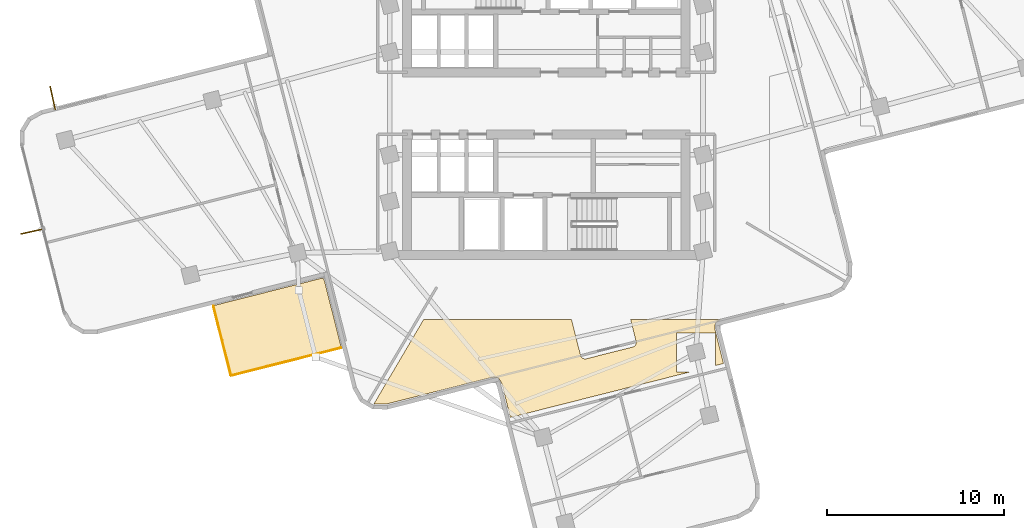
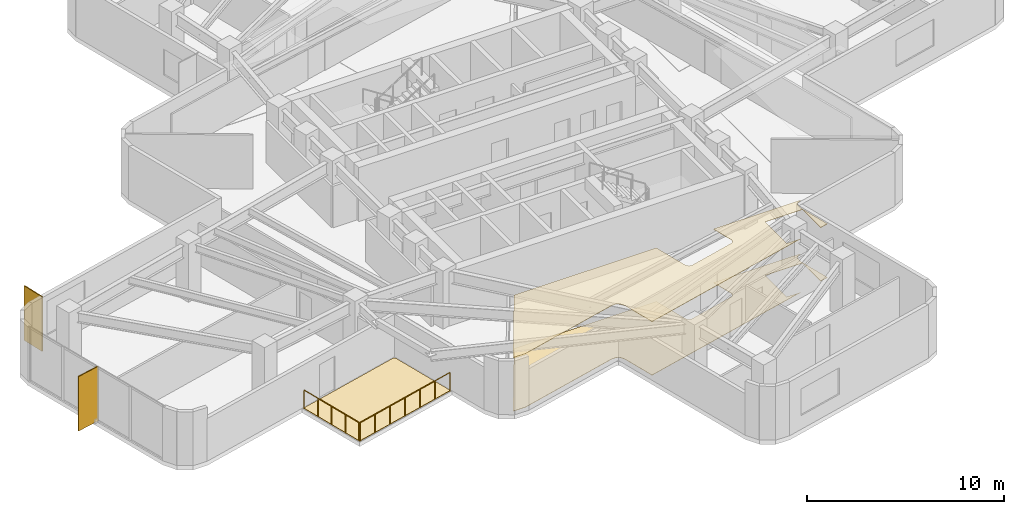
# One storey, part 9 of 11: 3 coverings, 2 railings, 2 shading devices.
"""IFC4 building model written with IfcOpenShell, lengths in metres."""

from ifc_helpers import new_model, si_unit, direction, frame, origin, origin_2d, place, context, subcontext, project, spatial, polyline, rectangle, circle, outline, extrude, material, layer, layer_set, type_object, element, save


model = new_model("IFC4")

# Units and contexts
model_context = context("Model", 3, precision=1e-05, world=origin(), true_north=direction((0.0, 1.0)))
body_context = subcontext(model_context, "Body", "Model", "MODEL_VIEW")
ifc_project = project(units=[si_unit("LENGTHUNIT", "METRE"), si_unit("AREAUNIT", "SQUARE_METRE"), si_unit("VOLUMEUNIT", "CUBIC_METRE"), si_unit("PLANEANGLEUNIT", "RADIAN"), si_unit("MASSUNIT", "GRAM", prefix="KILO")], contexts=[model_context])

# Site, building, storey
site_placement = place(None, origin())
site = spatial("IfcSite", under=ifc_project, at=site_placement, CompositionType="ELEMENT")
building_placement = place(site_placement, origin())
building = spatial("IfcBuilding", under=site, at=building_placement, Name="Solmarez Civic Tower", CompositionType="ELEMENT")
storey_placement = place(building_placement, frame((0.0, 0.0, 127.080078125)))
storey = spatial("IfcBuildingStorey", under=building, at=storey_placement, Name="L33", CompositionType="ELEMENT", Elevation=127.080078125)

# Coverings
ifc_material_1 = material(Name="Perforated Mineral-Fibre Acoustic Ceiling")
ifc_layer_1 = layer(ifc_material_1, 0.02490234375)
ifc_layer_set_1 = layer_set([ifc_layer_1], Name="Perforated Mineral-Fibre Acoustic Ceiling")
covering_type_1 = type_object("IfcCoveringType", Name="COV-CEIL-ACOUSTIC", PredefinedType="CEILING", material=ifc_layer_set_1)
covering_1_placement = place(storey_placement, frame((0.0, 0.0, 3.31494140625)))
element("IfcCovering", 1, at=covering_1_placement, inside=storey, type_object=covering_type_1, Name="L33 Suspended Acoustic Ceiling 2", PredefinedType="CEILING", context=body_context, shape_type="SweptSolid", body=[
    extrude(outline(polyline([(-2.720947265625, -15.530029296875), (-2.7041015625, -15.5400390625), (-2.68896484375, -15.552001953125), (-2.674072265625, -15.56494140625), (-2.6689453125, -15.570068359375), (-2.656005859375, -15.5849609375), (-2.65087890625, -15.591064453125), (-2.64599609375, -15.596923828125), (-2.632080078125, -15.615966796875), (-2.6279296875, -15.6220703125), (-2.618896484375, -15.636962890625), (-2.534912109375, -15.7880859375), (-2.530029296875, -15.797119140625), (-2.527099609375, -15.802978515625), (-2.52392578125, -15.80908203125), (-2.51611328125, -15.826904296875), (-2.509033203125, -15.846923828125), (-2.507080078125, -15.85400390625), (-2.506103515625, -15.860107421875), (-2.031005859375, -17.739990234375), (8.15087890625, -15.1640625), (7.344970703125, -15.1640625), (7.344970703125, -12.964111328125), (9.544921875, -12.964111328125), (9.544921875, -14.81103515625), (10.010009765625, -14.694091796875), (9.533935546875, -12.81201171875), (9.530029296875, -12.79296875), (9.527099609375, -12.77197265625), (9.527099609375, -12.762939453125), (9.52490234375, -12.7529296875), (9.52490234375, -12.735107421875), (9.528076171875, -12.56494140625), (9.528076171875, -12.55908203125), (9.530029296875, -12.531982421875), (9.531005859375, -12.52392578125), (9.532958984375, -12.507080078125), (9.537109375, -12.490966796875), (9.5390625, -12.48388671875), (9.549072265625, -12.45703125), (9.552001953125, -12.449951171875), (9.554931640625, -12.443115234375), (9.56396484375, -12.425048828125), (9.573974609375, -12.407958984375), (9.577880859375, -12.402099609375), (9.58203125, -12.39599609375), (9.5869140625, -12.388916015625), (9.597900390625, -12.375), (9.610107421875, -12.361083984375), (9.614990234375, -12.35595703125), (9.6201171875, -12.35107421875), (9.635009765625, -12.337890625), (9.64111328125, -12.3330078125), (9.656982421875, -12.321044921875), (9.673095703125, -12.31103515625), (9.681884765625, -12.305908203125), (9.83203125, -12.221923828125), (9.841064453125, -12.217041015625), (9.846923828125, -12.214111328125), (9.85791015625, -12.208984375), (9.864990234375, -12.2060546875), (9.881103515625, -12.199951171875), (4.758056640625, -12.199951171875), (5.070068359375, -13.43701171875), (5.072021484375, -13.443115234375), (5.073974609375, -13.451904296875), (5.077880859375, -13.47607421875), (5.0791015625, -13.5), (5.0791015625, -13.5048828125), (5.077880859375, -13.527099609375), (5.076904296875, -13.531982421875), (5.076904296875, -13.5380859375), (5.072998046875, -13.56103515625), (5.06689453125, -13.5830078125), (5.05908203125, -13.60400390625), (5.055908203125, -13.611083984375), (5.0458984375, -13.633056640625), (5.033935546875, -13.653076171875), (5.01904296875, -13.672119140625), (5.012939453125, -13.678955078125), (5.001953125, -13.69189453125), (4.9951171875, -13.698974609375), (4.970947265625, -13.718994140625), (4.967041015625, -13.721923828125), (4.946044921875, -13.736083984375), (4.924072265625, -13.7470703125), (4.9150390625, -13.7509765625), (4.89306640625, -13.760009765625), (4.875, -13.763916015625), (2.258056640625, -14.426025390625), (2.2470703125, -14.428955078125), (2.241943359375, -14.429931640625), (2.222900390625, -14.43310546875), (2.214111328125, -14.43408203125), (2.19091796875, -14.43505859375), (2.16796875, -14.43408203125), (2.157958984375, -14.43310546875), (2.135009765625, -14.428955078125), (2.112060546875, -14.423095703125), (2.091064453125, -14.4150390625), (2.083984375, -14.412109375), (2.06201171875, -14.402099609375), (2.0419921875, -14.389892578125), (2.02294921875, -14.375), (2.01708984375, -14.3701171875), (2.007080078125, -14.362060546875), (1.991943359375, -14.346923828125), (1.97900390625, -14.3310546875), (1.972900390625, -14.322998046875), (1.958984375, -14.302001953125), (1.947998046875, -14.280029296875), (1.944091796875, -14.27099609375), (1.93505859375, -14.2490234375), (1.930908203125, -14.23095703125), (1.4169921875, -12.199951171875), (-6.927001953125, -12.199951171875), (-9.735107421875, -16.968017578125), (-9.72900390625, -16.971923828125), (-9.02099609375, -16.98193359375), (-3.1259765625, -15.489990234375), (-3.10791015625, -15.486083984375), (-3.10205078125, -15.485107421875), (-3.096923828125, -15.48388671875), (-3.090087890625, -15.48291015625), (-3.05908203125, -15.48095703125), (-3.049072265625, -15.48095703125), (-2.876953125, -15.48291015625), (-2.85302734375, -15.485107421875), (-2.841064453125, -15.486083984375), (-2.833984375, -15.487060546875), (-2.81201171875, -15.491943359375), (-2.803955078125, -15.493896484375), (-2.787109375, -15.4990234375), (-2.77001953125, -15.5048828125), (-2.762939453125, -15.508056640625), (-2.756103515625, -15.510986328125), (-2.738037109375, -15.52001953125), (-2.720947265625, -15.530029296875)])), origin(), (0.0, 0.0, 1.0), 0.02490234375),
])
ifc_material_2 = material(Name="Polished Tropical Stone Terrazzo Flooring", Category="masonry")
ifc_layer_2 = layer(ifc_material_2, 0.02001953125)
ifc_layer_set_2 = layer_set([ifc_layer_2], Name="Polished Tropical Stone Terrazzo Flooring")
covering_type_2 = type_object("IfcCoveringType", Name="COV-FLOOR-TERRAZZO", PredefinedType="FLOORING", material=ifc_layer_set_2)
covering_2_placement = place(storey_placement, origin())
element("IfcCovering", 2, at=covering_2_placement, inside=storey, type_object=covering_type_2, Name="L33 Terrazzo Floor Finish 2", PredefinedType="FLOORING", context=body_context, shape_type="SweptSolid", body=[
    extrude(outline(polyline([(-2.720947265625, -15.530029296875), (-2.7041015625, -15.5400390625), (-2.68896484375, -15.552001953125), (-2.674072265625, -15.56494140625), (-2.6689453125, -15.570068359375), (-2.656005859375, -15.5849609375), (-2.65087890625, -15.591064453125), (-2.64599609375, -15.596923828125), (-2.632080078125, -15.615966796875), (-2.6279296875, -15.6220703125), (-2.618896484375, -15.636962890625), (-2.534912109375, -15.7880859375), (-2.530029296875, -15.797119140625), (-2.527099609375, -15.802978515625), (-2.52392578125, -15.80908203125), (-2.51611328125, -15.826904296875), (-2.509033203125, -15.846923828125), (-2.507080078125, -15.85400390625), (-2.506103515625, -15.860107421875), (-2.031005859375, -17.739990234375), (8.15087890625, -15.1640625), (7.344970703125, -15.1640625), (7.344970703125, -12.964111328125), (9.544921875, -12.964111328125), (9.544921875, -14.81103515625), (10.010009765625, -14.694091796875), (9.533935546875, -12.81201171875), (9.530029296875, -12.79296875), (9.527099609375, -12.77197265625), (9.527099609375, -12.762939453125), (9.52490234375, -12.7529296875), (9.52490234375, -12.735107421875), (9.528076171875, -12.56494140625), (9.528076171875, -12.55908203125), (9.530029296875, -12.531982421875), (9.531005859375, -12.52392578125), (9.532958984375, -12.507080078125), (9.537109375, -12.490966796875), (9.5390625, -12.48388671875), (9.549072265625, -12.45703125), (9.552001953125, -12.449951171875), (9.554931640625, -12.443115234375), (9.56396484375, -12.425048828125), (9.573974609375, -12.407958984375), (9.577880859375, -12.402099609375), (9.58203125, -12.39599609375), (9.5869140625, -12.388916015625), (9.597900390625, -12.375), (9.610107421875, -12.361083984375), (9.614990234375, -12.35595703125), (9.6201171875, -12.35107421875), (9.635009765625, -12.337890625), (9.64111328125, -12.3330078125), (9.656982421875, -12.321044921875), (9.673095703125, -12.31103515625), (9.681884765625, -12.305908203125), (9.83203125, -12.221923828125), (9.841064453125, -12.217041015625), (9.846923828125, -12.214111328125), (9.85791015625, -12.208984375), (9.864990234375, -12.2060546875), (9.881103515625, -12.199951171875), (4.758056640625, -12.199951171875), (5.070068359375, -13.43701171875), (5.072021484375, -13.443115234375), (5.073974609375, -13.451904296875), (5.077880859375, -13.47607421875), (5.0791015625, -13.5), (5.0791015625, -13.5048828125), (5.077880859375, -13.527099609375), (5.076904296875, -13.531982421875), (5.076904296875, -13.5380859375), (5.072998046875, -13.56103515625), (5.06689453125, -13.5830078125), (5.05908203125, -13.60400390625), (5.055908203125, -13.611083984375), (5.0458984375, -13.633056640625), (5.033935546875, -13.653076171875), (5.01904296875, -13.672119140625), (5.012939453125, -13.678955078125), (5.001953125, -13.69189453125), (4.9951171875, -13.698974609375), (4.970947265625, -13.718994140625), (4.967041015625, -13.721923828125), (4.946044921875, -13.736083984375), (4.924072265625, -13.7470703125), (4.9150390625, -13.7509765625), (4.89306640625, -13.760009765625), (4.875, -13.763916015625), (2.258056640625, -14.426025390625), (2.2470703125, -14.428955078125), (2.241943359375, -14.429931640625), (2.222900390625, -14.43310546875), (2.214111328125, -14.43408203125), (2.19091796875, -14.43505859375), (2.16796875, -14.43408203125), (2.157958984375, -14.43310546875), (2.135009765625, -14.428955078125), (2.112060546875, -14.423095703125), (2.091064453125, -14.4150390625), (2.083984375, -14.412109375), (2.06201171875, -14.402099609375), (2.0419921875, -14.389892578125), (2.02294921875, -14.375), (2.01708984375, -14.3701171875), (2.007080078125, -14.362060546875), (1.991943359375, -14.346923828125), (1.97900390625, -14.3310546875), (1.972900390625, -14.322998046875), (1.958984375, -14.302001953125), (1.947998046875, -14.280029296875), (1.944091796875, -14.27099609375), (1.93505859375, -14.2490234375), (1.930908203125, -14.23095703125), (1.4169921875, -12.199951171875), (-6.927001953125, -12.199951171875), (-9.735107421875, -16.968017578125), (-9.72900390625, -16.971923828125), (-9.02099609375, -16.98193359375), (-3.1259765625, -15.489990234375), (-3.10791015625, -15.486083984375), (-3.10205078125, -15.485107421875), (-3.096923828125, -15.48388671875), (-3.090087890625, -15.48291015625), (-3.05908203125, -15.48095703125), (-3.049072265625, -15.48095703125), (-2.876953125, -15.48291015625), (-2.85302734375, -15.485107421875), (-2.841064453125, -15.486083984375), (-2.833984375, -15.487060546875), (-2.81201171875, -15.491943359375), (-2.803955078125, -15.493896484375), (-2.787109375, -15.4990234375), (-2.77001953125, -15.5048828125), (-2.762939453125, -15.508056640625), (-2.756103515625, -15.510986328125), (-2.738037109375, -15.52001953125), (-2.720947265625, -15.530029296875)])), origin(), (0.0, 0.0, 1.0), 0.02001953125),
])
ifc_material_3 = material(Name="Elastomeric Terrace Waterproofing Membrane")
ifc_layer_3 = layer(ifc_material_3, 0.030029296875)
ifc_layer_set_3 = layer_set([ifc_layer_3], Name="Elastomeric Terrace Waterproofing Membrane")
covering_type_3 = type_object("IfcCoveringType", Name="COV-MEMBRANE-ROOF", PredefinedType="ROOFING", material=ifc_layer_set_3)
covering_3_placement = place(storey_placement, origin())
element("IfcCovering", 3, at=covering_3_placement, inside=storey, type_object=covering_type_3, Name="L33 Balcony Waterproofing SW", PredefinedType="ROOFING", context=body_context, shape_type="SweptSolid", body=[
    extrude(outline(polyline([(-12.5419921875, -10.0009765625), (-12.60498046875, -9.888916015625), (-12.73193359375, -9.886962890625), (-18.81201171875, -11.425048828125), (-17.81201171875, -15.37890625), (-11.580078125, -13.802978515625), (-12.5419921875, -10.0009765625)])), origin(), (0.0, 0.0, 1.0), 0.030029296875),
])

# Shading devices
ifc_material_4 = material(Name="Bronze Anodised Aluminium EN AW-6063 T6", Category="aluminium")
ifc_layer_4 = layer(ifc_material_4, 0.06005859375)
ifc_layer_set_4 = layer_set([ifc_layer_4], Name="Bronze Anodised Aluminium EN AW-6063 T6")
shading_device_type = type_object("IfcShadingDeviceType", Name="FIN-BRONZE-Z34", PredefinedType="USERDEFINED", material=ifc_layer_set_4)
for number, where, z_axis, x_axis, name in (
    (4, (-29.028076171875, -7.23095703125, -0.0400390625), (0.0, 0.0, 1.0), (-0.97628467303, -0.216490732381, 0.0), "L33 Anodised Bronze Solar Fin FIN-L33-01"),
    (5, (-27.885986328125, 0.302978515625, -0.0400390625), (0.0, 0.0, 1.0), (-0.21650777173, 0.976280894405, 0.0), "L33 Anodised Bronze Solar Fin FIN-L33-02"),
):
    element("IfcShadingDevice", number, at=place(storey_placement, frame(where, z_axis=z_axis, x_axis=x_axis)), inside=storey, type_object=shading_device_type, Name=name, ObjectType="FIN", PredefinedType="USERDEFINED", context=body_context, shape_type="SweptSolid", body=[
        extrude(rectangle(XDim=1.35009765625, YDim=0.06005859375, at=origin_2d()), origin(), (0.0, 0.0, 1.0), 3.3798828125),
    ])

# Railings
ifc_material_5 = material(Name="Bronze Anodised Aluminium and Laminated Safety Glass Balustrade", Category="aluminium")
railing_type = type_object("IfcRailingType", Name="GUARD-TERR-1180", PredefinedType="BALUSTRADE", material=ifc_material_5)
railing_1_placement = place(storey_placement, frame((-18.802978515625, -11.458984375, 0.0)))
element("IfcRailing", 6, at=railing_1_placement, inside=storey, type_object=railing_type, Name="L33 Safety Balustrade GRD-BALC-L33-SW-1", PredefinedType="BALUSTRADE", context=body_context, shape_type="SweptSolid", body=[
    extrude(circle(Radius=0.02392578125, at=origin_2d()), frame((0.0, 0.0, 1.15576171875), z_axis=(0.24498563911, -0.969526707538, 0.0), x_axis=(0.969526707538, 0.24498563911, 0.0)), (0.0, 0.0, 1.0), 4.008056640625),
    extrude(circle(Radius=0.02099609375, at=origin_2d()), origin(), (0.0, 0.0, 1.0), 1.1318359375),
    extrude(circle(Radius=0.02099609375, at=origin_2d()), frame((0.24560546875, -0.971435546875, 0.0)), (0.0, 0.0, 1.0), 1.1318359375),
    extrude(circle(Radius=0.02099609375, at=origin_2d()), frame((0.490966796875, -1.94287109375, 0.0)), (0.0, 0.0, 1.0), 1.1318359375),
    extrude(circle(Radius=0.02099609375, at=origin_2d()), frame((0.736328125, -2.91455078125, 0.0)), (0.0, 0.0, 1.0), 1.1318359375),
    extrude(circle(Radius=0.02099609375, at=origin_2d()), frame((0.98193359375, -3.885986328125, 0.0)), (0.0, 0.0, 1.0), 1.1318359375),
])
railing_2_placement = place(storey_placement, frame((-17.778076171875, -15.3701171875, 0.0)))
element("IfcRailing", 7, at=railing_2_placement, inside=storey, type_object=railing_type, Name="L33 Safety Balustrade GRD-BALC-L33-SW-2", PredefinedType="BALUSTRADE", context=body_context, shape_type="SweptSolid", body=[
    extrude(circle(Radius=0.02392578125, at=origin_2d()), frame((0.0, 0.0, 1.15576171875), z_axis=(0.969506741759, 0.245064639809, 0.0), x_axis=(-0.245064639809, 0.969506741759, 0.0)), (0.0, 0.0, 1.0), 6.35791015625),
    extrude(circle(Radius=0.02099609375, at=origin_2d()), origin(), (0.0, 0.0, 1.0), 1.1318359375),
    extrude(circle(Radius=0.02099609375, at=origin_2d()), frame((1.02734375, 0.259765625, 0.0)), (0.0, 0.0, 1.0), 1.1318359375),
    extrude(circle(Radius=0.02099609375, at=origin_2d()), frame((2.0546875, 0.519287109375, 0.0)), (0.0, 0.0, 1.0), 1.1318359375),
    extrude(circle(Radius=0.02099609375, at=origin_2d()), frame((3.08203125, 0.779052734375, 0.0)), (0.0, 0.0, 1.0), 1.1318359375),
    extrude(circle(Radius=0.02099609375, at=origin_2d()), frame((4.109375, 1.038818359375, 0.0)), (0.0, 0.0, 1.0), 1.1318359375),
    extrude(circle(Radius=0.02099609375, at=origin_2d()), frame((5.13671875, 1.29833984375, 0.0)), (0.0, 0.0, 1.0), 1.1318359375),
    extrude(circle(Radius=0.02099609375, at=origin_2d()), frame((6.1640625, 1.55810546875, 0.0)), (0.0, 0.0, 1.0), 1.1318359375),
])

save(model, "model.ifc")
